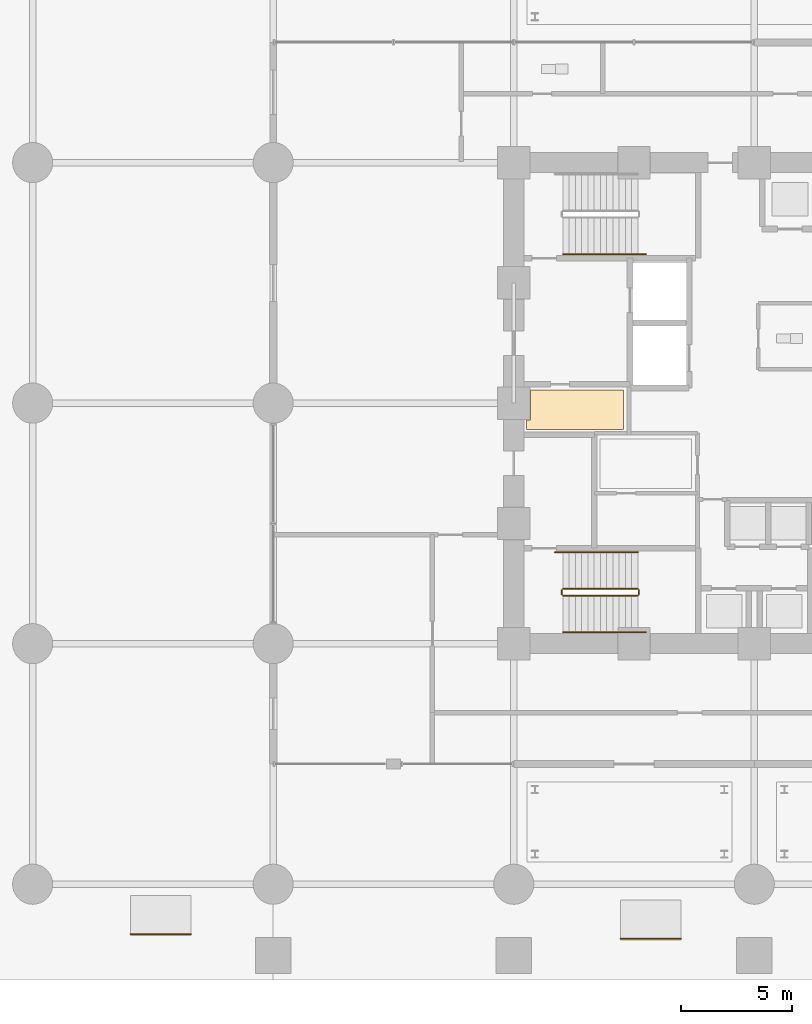
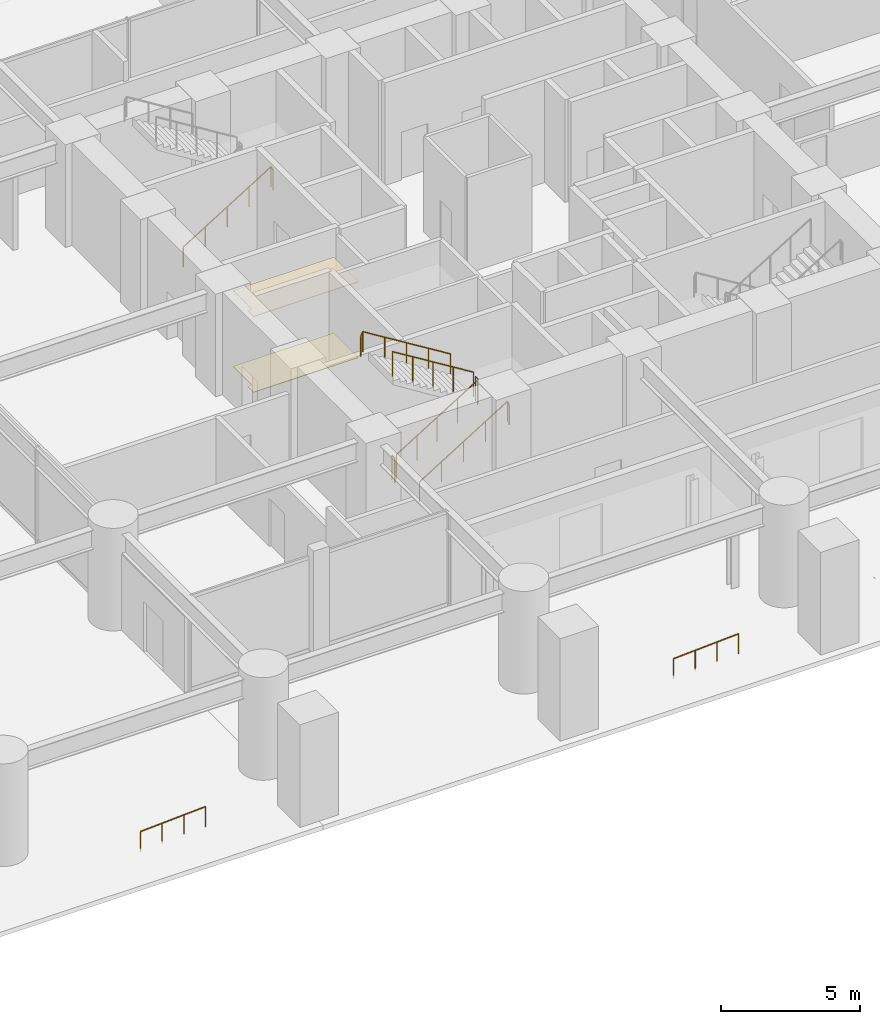
# One storey, part 23 of 29: 9 railings, 2 coverings.
"""IFC4 building model written with IfcOpenShell, lengths in metres."""

from ifc_helpers import new_model, si_unit, direction, frame, origin, origin_2d, place, context, subcontext, project, spatial, polyline, circle, outline, extrude, material, layer, layer_set, type_object, element, save


model = new_model("IFC4")

# Units and contexts
model_context = context("Model", 3, precision=1e-05, world=origin(), true_north=direction((0.0, 1.0)))
body_context = subcontext(model_context, "Body", "Model", "MODEL_VIEW")
ifc_project = project(units=[si_unit("LENGTHUNIT", "METRE"), si_unit("AREAUNIT", "SQUARE_METRE"), si_unit("VOLUMEUNIT", "CUBIC_METRE"), si_unit("PLANEANGLEUNIT", "RADIAN"), si_unit("MASSUNIT", "GRAM", prefix="KILO")], contexts=[model_context])

# Site, building, storey
site_placement = place(None, origin())
site = spatial("IfcSite", under=ifc_project, at=site_placement, CompositionType="ELEMENT")
building_placement = place(site_placement, origin())
building = spatial("IfcBuilding", under=site, at=building_placement, Name="Surkhivell Harbour Commons", CompositionType="ELEMENT")
storey_placement = place(building_placement, origin())
storey = spatial("IfcBuildingStorey", under=building, at=storey_placement, Name="L00", CompositionType="ELEMENT", Elevation=0.0)

# Coverings
ifc_material_1 = material(Name="Perforated acoustic mineral-fibre ceiling tile", Category="other")
ifc_layer_1 = layer(ifc_material_1, 0.02490234375)
ifc_layer_set_1 = layer_set([ifc_layer_1], Name="Perforated acoustic mineral-fibre ceiling tile")
covering_type_1 = type_object("IfcCoveringType", Name="COV-CEIL-AC", PredefinedType="CEILING", material=ifc_layer_set_1)
covering_1_placement = place(storey_placement, frame((0.0, 0.0, 3.323974609375)))
element("IfcCovering", 1, at=covering_1_placement, inside=storey, type_object=covering_type_1, Name="L00 Suspended Acoustic Ceiling 1", PredefinedType="CEILING", context=body_context, shape_type="SweptSolid", body=[
    extrude(outline(polyline([(-10.219970703125, -1.179931640625), (-5.8701171875, -1.179931640625), (-5.8701171875, 0.60009765625), (-10.044921875, 0.60009765625), (-10.044921875, -0.7548828125), (-10.219970703125, -0.7548828125), (-10.219970703125, -1.179931640625)])), origin(), (0.0, 0.0, 1.0), 0.025146484375),
])
ifc_material_2 = material(Name="Honed terrazzo and porcelain floor finish", Category="masonry")
ifc_layer_2 = layer(ifc_material_2, 0.02490234375)
ifc_layer_set_2 = layer_set([ifc_layer_2], Name="Honed terrazzo and porcelain floor finish")
covering_type_2 = type_object("IfcCoveringType", Name="COV-FLR-TER", PredefinedType="FLOORING", material=ifc_layer_set_2)
covering_2_placement = place(storey_placement, origin())
element("IfcCovering", 2, at=covering_2_placement, inside=storey, type_object=covering_type_2, Name="L00 Interior Floor Finish 1", PredefinedType="FLOORING", context=body_context, shape_type="SweptSolid", body=[
    extrude(outline(polyline([(-10.219970703125, -1.179931640625), (-5.8701171875, -1.179931640625), (-5.8701171875, 0.60009765625), (-10.044921875, 0.60009765625), (-10.044921875, -0.7548828125), (-10.219970703125, -0.7548828125), (-10.219970703125, -1.179931640625)])), origin(), (0.0, 0.0, 1.0), 0.02490234375),
])

# Railings
ifc_material_3 = material(Name="Brushed stainless steel S355 handrail", Category="steel")
railing_type_1 = type_object("IfcRailingType", Name="RAL-RMP-900", PredefinedType="HANDRAIL", material=ifc_material_3)
for number, where, name in (
    (3, (-28.0, -23.85009765625, -0.14990234375), "L00 Ramp Handrail HR-01"),
    (4, (-6.0, -24.050048828125, -0.14990234375), "L00 Ramp Handrail HR-05"),
):
    element("IfcRailing", number, at=place(storey_placement, frame(where)), inside=storey, type_object=railing_type_1, Name=name, PredefinedType="HANDRAIL", context=body_context, shape_type="SweptSolid", body=[
        extrude(circle(Radius=0.02392578125, at=origin_2d()), frame((0.0, 0.0, 0.8759765625), z_axis=(0.998462297193, 0.0, 0.055435016772), x_axis=(0.0, 1.0, 0.0)), (0.0, 0.0, 1.0), 2.7041015625),
        extrude(circle(Radius=0.02099609375, at=origin_2d()), origin(), (0.0, 0.0, 1.0), 0.851806640625),
        extrude(circle(Radius=0.02099609375, at=origin_2d()), frame((0.89990234375, 0.0, 0.050048828125)), (0.0, 0.0, 1.0), 0.851806640625),
        extrude(circle(Radius=0.02099609375, at=origin_2d()), frame((1.800048828125, 0.0, 0.099853515625)), (0.0, 0.0, 1.0), 0.851806640625),
        extrude(circle(Radius=0.02099609375, at=origin_2d()), frame((2.699951171875, 0.0, 0.14990234375)), (0.0, 0.0, 1.0), 0.851806640625),
    ])
ifc_material_4 = material(Name="Galvanised and painted steel S355 guard rail", Category="steel")
railing_type_2 = type_object("IfcRailingType", Name="RAL-ST-GRD1100", PredefinedType="GUARDRAIL", material=ifc_material_4)
railing_1_placement = place(storey_placement, frame((-8.590087890625, -8.639892578125, 0.173095703125)))
element("IfcRailing", 5, at=railing_1_placement, inside=storey, type_object=railing_type_2, Name="L00 ST3 stair guard 1", PredefinedType="GUARDRAIL", context=body_context, shape_type="SweptSolid", body=[
    extrude(circle(Radius=0.02392578125, at=origin_2d()), frame((0.0, 0.0, 1.076171875), z_axis=(0.850623216509, 0.0, 0.525775754039), x_axis=(0.0, 1.0, 0.0)), (0.0, 0.0, 1.0), 3.9501953125),
    extrude(circle(Radius=0.02099609375, at=origin_2d()), origin(), (0.0, 0.0, 1.0), 1.052001953125),
    extrude(circle(Radius=0.02099609375, at=origin_2d()), frame((0.840087890625, 0.0, 0.519287109375)), (0.0, 0.0, 1.0), 1.052001953125),
    extrude(circle(Radius=0.02099609375, at=origin_2d()), frame((1.68017578125, 0.0, 1.03857421875)), (0.0, 0.0, 1.0), 1.052001953125),
    extrude(circle(Radius=0.02099609375, at=origin_2d()), frame((2.52001953125, 0.0, 1.5576171875)), (0.0, 0.0, 1.0), 1.052001953125),
    extrude(circle(Radius=0.02099609375, at=origin_2d()), frame((3.360107421875, 0.0, 2.076904296875)), (0.0, 0.0, 1.0), 1.052001953125),
])
railing_2_placement = place(storey_placement, frame((-5.179931640625, -8.590087890625, 2.25)))
element("IfcRailing", 6, at=railing_2_placement, inside=storey, type_object=railing_type_2, Name="L00 ST3 stair guard 2", PredefinedType="GUARDRAIL", context=body_context, shape_type="SweptSolid", body=[
    extrude(circle(Radius=0.02392578125, at=origin_2d()), frame((0.0, 0.0, 1.076171875), z_axis=(0.0, 1.0, 0.0), x_axis=(-1.0, 0.0, 0.0)), (0.0, 0.0, 1.0), 0.2001953125),
    extrude(circle(Radius=0.02099609375, at=origin_2d()), origin(), (0.0, 0.0, 1.0), 1.052001953125),
    extrude(circle(Radius=0.02099609375, at=origin_2d()), frame((0.0, 0.2001953125, 0.0)), (0.0, 0.0, 1.0), 1.052001953125),
])
railing_3_placement = place(storey_placement, frame((-5.22998046875, -8.340087890625, 2.423095703125)))
element("IfcRailing", 7, at=railing_3_placement, inside=storey, type_object=railing_type_2, Name="L00 ST3 stair guard 3", PredefinedType="GUARDRAIL", context=body_context, shape_type="SweptSolid", body=[
    extrude(circle(Radius=0.02392578125, at=origin_2d()), frame((0.0, 0.0, 1.076171875), z_axis=(-0.850623216509, 0.0, 0.525775754039), x_axis=(0.0, -1.0, 0.0)), (0.0, 0.0, 1.0), 3.9501953125),
    extrude(circle(Radius=0.02099609375, at=origin_2d()), origin(), (0.0, 0.0, 1.0), 1.052001953125),
    extrude(circle(Radius=0.02099609375, at=origin_2d()), frame((-0.840087890625, 0.0, 0.519287109375)), (0.0, 0.0, 1.0), 1.052001953125),
    extrude(circle(Radius=0.02099609375, at=origin_2d()), frame((-1.68017578125, 0.0, 1.03857421875)), (0.0, 0.0, 1.0), 1.052001953125),
    extrude(circle(Radius=0.02099609375, at=origin_2d()), frame((-2.52001953125, 0.0, 1.5576171875)), (0.0, 0.0, 1.0), 1.052001953125),
    extrude(circle(Radius=0.02099609375, at=origin_2d()), frame((-3.360107421875, 0.0, 2.076904296875)), (0.0, 0.0, 1.0), 1.052001953125),
])
railing_4_placement = place(storey_placement, frame((-8.639892578125, -8.590087890625, 0.0)))
element("IfcRailing", 8, at=railing_4_placement, inside=storey, type_object=railing_type_2, Name="L00 ST3 stair guard 4", PredefinedType="GUARDRAIL", context=body_context, shape_type="SweptSolid", body=[
    extrude(circle(Radius=0.02392578125, at=origin_2d()), frame((0.0, 0.0, 1.076171875), z_axis=(0.0, 1.0, 0.0), x_axis=(-1.0, 0.0, 0.0)), (0.0, 0.0, 1.0), 0.2001953125),
    extrude(circle(Radius=0.02099609375, at=origin_2d()), origin(), (0.0, 0.0, 1.0), 1.052001953125),
    extrude(circle(Radius=0.02099609375, at=origin_2d()), frame((0.0, 0.2001953125, 0.0)), (0.0, 0.0, 1.0), 1.052001953125),
])
railing_type_3 = type_object("IfcRailingType", Name="RAL-ST-HND900", PredefinedType="HANDRAIL", material=ifc_material_3)
for number, where, name in (
    (9, (-8.590087890625, 6.68994140625, 0.173095703125), "L00 ST1 stair handrail 1"),
    (10, (-8.590087890625, -10.2900390625, 0.173095703125), "L00 ST3 stair handrail 1"),
):
    element("IfcRailing", number, at=place(storey_placement, frame(where)), inside=storey, type_object=railing_type_3, Name=name, PredefinedType="HANDRAIL", context=body_context, shape_type="SweptSolid", body=[
        extrude(circle(Radius=0.02392578125, at=origin_2d()), frame((0.0, 0.0, 0.8759765625), z_axis=(0.850622404505, 0.0, 0.525777067734), x_axis=(0.0, 1.0, 0.0)), (0.0, 0.0, 1.0), 4.279296875),
        extrude(circle(Radius=0.02392578125, at=origin_2d()), frame((3.64013671875, 0.0, 3.1259765625), z_axis=(0.418814502111, 0.0, -0.908071810388), x_axis=(0.0, 1.0, 0.0)), (0.0, 0.0, 1.0), 0.190673828125),
        extrude(circle(Radius=0.02099609375, at=origin_2d()), origin(), (0.0, 0.0, 1.0), 0.851806640625),
        extrude(circle(Radius=0.02099609375, at=origin_2d()), frame((0.91015625, 0.0, 0.5625)), (0.0, 0.0, 1.0), 0.851806640625),
        extrude(circle(Radius=0.02099609375, at=origin_2d()), frame((1.820068359375, 0.0, 1.125)), (0.0, 0.0, 1.0), 0.851806640625),
        extrude(circle(Radius=0.02099609375, at=origin_2d()), frame((2.72998046875, 0.0, 1.6875)), (0.0, 0.0, 1.0), 0.851806640625),
        extrude(circle(Radius=0.02099609375, at=origin_2d()), frame((3.64013671875, 0.0, 2.25)), (0.0, 0.0, 1.0), 0.851806640625),
        extrude(circle(Radius=0.02099609375, at=origin_2d()), frame((3.719970703125, 0.0, 2.076904296875)), (0.0, 0.0, 1.0), 0.851806640625),
    ])
railing_5_placement = place(storey_placement, frame((-5.22998046875, -6.68994140625, 2.423095703125)))
element("IfcRailing", 11, at=railing_5_placement, inside=storey, type_object=railing_type_3, Name="L00 ST3 stair handrail 2", PredefinedType="HANDRAIL", context=body_context, shape_type="SweptSolid", body=[
    extrude(circle(Radius=0.02392578125, at=origin_2d()), frame((0.0, 0.0, 0.8759765625), z_axis=(-0.850622404505, 0.0, 0.525777067734), x_axis=(0.0, -1.0, 0.0)), (0.0, 0.0, 1.0), 4.279296875),
    extrude(circle(Radius=0.02392578125, at=origin_2d()), frame((-3.64013671875, 0.0, 3.1259765625), z_axis=(-0.418814502111, 0.0, -0.908071810388), x_axis=(0.0, -1.0, 0.0)), (0.0, 0.0, 1.0), 0.190673828125),
    extrude(circle(Radius=0.02099609375, at=origin_2d()), origin(), (0.0, 0.0, 1.0), 0.851806640625),
    extrude(circle(Radius=0.02099609375, at=origin_2d()), frame((-0.91015625, 0.0, 0.5625)), (0.0, 0.0, 1.0), 0.851806640625),
    extrude(circle(Radius=0.02099609375, at=origin_2d()), frame((-1.820068359375, 0.0, 1.125)), (0.0, 0.0, 1.0), 0.851806640625),
    extrude(circle(Radius=0.02099609375, at=origin_2d()), frame((-2.72998046875, 0.0, 1.6875)), (0.0, 0.0, 1.0), 0.851806640625),
    extrude(circle(Radius=0.02099609375, at=origin_2d()), frame((-3.64013671875, 0.0, 2.25)), (0.0, 0.0, 1.0), 0.851806640625),
    extrude(circle(Radius=0.02099609375, at=origin_2d()), frame((-3.719970703125, 0.0, 2.076904296875)), (0.0, 0.0, 1.0), 0.851806640625),
])

save(model, "model.ifc")
